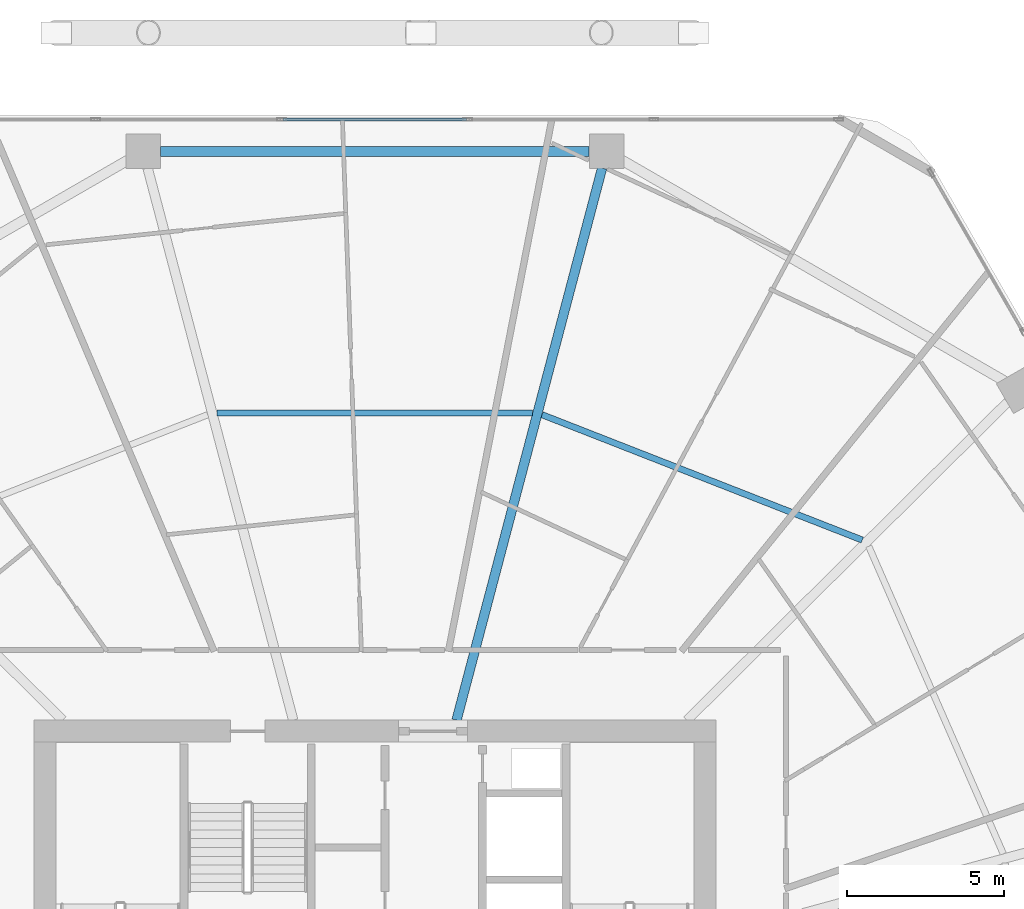
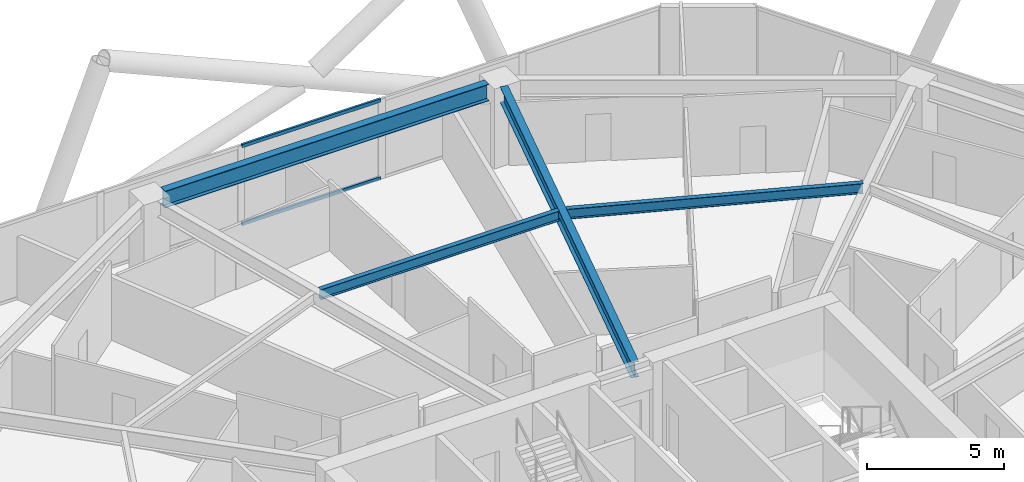
# One storey, part 23 of 36: 4 beams, 2 members, 1 element without a shape of its own.
"""IFC4 building model written with IfcOpenShell, lengths in metres."""

from ifc_helpers import new_model, si_unit, direction, frame, origin, origin_2d, place, context, subcontext, project, spatial, hollow_rectangle, i_section, extrude, material, material_profile, profile_set, type_object, element, aggregate, save


model = new_model("IFC4")

# Units and contexts
model_context = context("Model", 3, precision=1e-05, world=origin(), true_north=direction((0.0, 1.0)))
body_context = subcontext(model_context, "Body", "Model", "MODEL_VIEW")
ifc_project = project(units=[si_unit("LENGTHUNIT", "METRE"), si_unit("AREAUNIT", "SQUARE_METRE"), si_unit("VOLUMEUNIT", "CUBIC_METRE"), si_unit("PLANEANGLEUNIT", "RADIAN"), si_unit("MASSUNIT", "GRAM", prefix="KILO")], contexts=[model_context])

# Site, building, storey
site_placement = place(None, origin())
site = spatial("IfcSite", under=ifc_project, at=site_placement, CompositionType="ELEMENT")
building_placement = place(site_placement, origin())
building = spatial("IfcBuilding", under=site, at=building_placement, Name="Zuhravey Tower", CompositionType="ELEMENT")
storey_placement = place(building_placement, frame((0.0, 0.0, 107.60009765625)))
storey = spatial("IfcBuildingStorey", under=building, at=storey_placement, Name="L26", CompositionType="ELEMENT", Elevation=107.60009765625)

# Curtain wall, members
ifc_material_1 = material(Name="Thermally broken anodised aluminium", Category="aluminium")
curtain_wall_type = type_object("IfcCurtainWallType", Name="Zone 1-2 Residential Curtain Wall CW3", PredefinedType="NOTDEFINED", material=ifc_material_1)
curtain_wall_placement = place(storey_placement, origin())
curtain_wall = element("IfcCurtainWall", 1, at=curtain_wall_placement, inside=storey, type_object=curtain_wall_type, Name="L26 CW3 CW-L26-F2-1", PredefinedType="NOTDEFINED")
ifc_material_2 = material(Name="Anodised aluminium", Category="aluminium")
ifc_material_profile_1 = material_profile(ifc_material_2, hollow_rectangle(XDim=0.090087890625, YDim=0.14990234375, WallThickness=0.0048828125, at=origin_2d()), Name="ALU-RHS-90x150x5")
ifc_profile_set_1 = profile_set([ifc_material_profile_1], Name="Anodised aluminium")
member_type = type_object("IfcMemberType", Name="Curtain-Wall Transom 90x150", PredefinedType="USERDEFINED", material=ifc_profile_set_1)
member_1_placement = place(storey_placement, frame((33.085205078125, 60.95849609375, 0.044921875), z_axis=(1.0, 0.0, 0.0), x_axis=(0.0, 1.0, 0.0)))
member_1 = element("IfcMember", 2, at=member_1_placement, type_object=member_type, Name="CW3 transom 3.1", ObjectType="TRANSOM", PredefinedType="USERDEFINED", context=body_context, shape_type="SweptSolid", body=[
    extrude(hollow_rectangle(XDim=0.090087890625, YDim=0.14990234375, WallThickness=0.0048828125, at=origin_2d()), origin(), (0.0, 0.0, 1.0), 5.82958984375),
])
member_2_placement = place(storey_placement, frame((33.085205078125, 60.95849609375, 3.5048828125), z_axis=(1.0, 0.0, 0.0), x_axis=(0.0, 1.0, 0.0)))
member_2 = element("IfcMember", 3, at=member_2_placement, type_object=member_type, Name="CW3 transom 3.2", ObjectType="TRANSOM", PredefinedType="USERDEFINED", context=body_context, shape_type="SweptSolid", body=[
    extrude(hollow_rectangle(XDim=0.090087890625, YDim=0.14990234375, WallThickness=0.0048828125, at=origin_2d()), origin(), (0.0, 0.0, 1.0), 5.82958984375),
])
aggregate(curtain_wall, [member_1, member_2])

# Beams
ifc_material_3 = material(Name="Steel SM355", Category="steel")
ifc_material_profile_2 = material_profile(ifc_material_3, i_section(OverallWidth=0.320068359375, OverallDepth=0.75, WebThickness=0.013916015625, FlangeThickness=0.02490234375, at=origin_2d()), Name="H-750x320x14x25")
ifc_profile_set_2 = profile_set([ifc_material_profile_2], Name="Steel SM355")
beam_type_1 = type_object("IfcBeamType", Name="Perimeter Ring Beam H750x320", PredefinedType="BEAM", material=ifc_profile_set_2)
beam_1_placement = place(storey_placement, frame((42.81689453125, 59.948486328125, 3.1748046875), z_axis=(-1.0, 0.0, 0.0), x_axis=(0.0, -1.0, 0.0)))
element("IfcBeam", 4, at=beam_1_placement, inside=storey, type_object=beam_type_1, Name="L26 PB1 BM-L26-PB-03", PredefinedType="BEAM", context=body_context, shape_type="SweptSolid", body=[
    extrude(i_section(OverallWidth=0.320068359375, OverallDepth=0.75, WebThickness=0.013916015625, FlangeThickness=0.02490234375, at=origin_2d()), origin(), (0.0, 0.0, 1.0), 13.6337890625),
])
ifc_material_profile_3 = material_profile(ifc_material_3, i_section(OverallWidth=0.300048828125, OverallDepth=0.699951171875, WebThickness=0.012939453125, FlangeThickness=0.02392578125, at=origin_2d()), Name="H-700x300x13x24")
ifc_profile_set_3 = profile_set([ifc_material_profile_3], Name="Steel SM355")
beam_type_2 = type_object("IfcBeamType", Name="Radial Primary Girder H700x300", PredefinedType="BEAM", material=ifc_profile_set_3)
beam_2_placement = place(storey_placement, frame((38.59814453125, 41.85302734375, 3.199951171875), z_axis=(0.25498755891, 0.966944333869, 0.0), x_axis=(-0.966944333869, 0.25498755891, 0.0)))
element("IfcBeam", 5, at=beam_2_placement, inside=storey, type_object=beam_type_2, Name="L26 RG1 BM-L26-RAD-03", PredefinedType="BEAM", context=body_context, shape_type="SweptSolid", body=[
    extrude(i_section(OverallWidth=0.300048828125, OverallDepth=0.699951171875, WebThickness=0.012939453125, FlangeThickness=0.02392578125, at=origin_2d()), origin(), (0.0, 0.0, 1.0), 18.1611328125),
])
ifc_material_profile_4 = material_profile(ifc_material_3, i_section(OverallWidth=0.199951171875, OverallDepth=0.449951171875, WebThickness=0.009033203125, FlangeThickness=0.013916015625, at=origin_2d()), Name="H-450x200x9x14")
ifc_profile_set_4 = profile_set([ifc_material_profile_4], Name="Steel SM355")
beam_type_3 = type_object("IfcBeamType", Name="Secondary Floor Joist H450x200", PredefinedType="JOIST", material=ifc_profile_set_4)
beam_3_placement = place(storey_placement, frame((51.50537109375, 47.581298828125, 3.324951171875), z_axis=(-0.931216764731, 0.364465824302, 0.0), x_axis=(-0.364465824302, -0.931216764731, 0.0)))
element("IfcBeam", 6, at=beam_3_placement, inside=storey, type_object=beam_type_3, Name="L26 SJ1 BM-L26-SJ-02-1", PredefinedType="JOIST", context=body_context, shape_type="SweptSolid", body=[
    extrude(i_section(OverallWidth=0.199951171875, OverallDepth=0.449951171875, WebThickness=0.009033203125, FlangeThickness=0.013916015625, at=origin_2d()), origin(), (0.0, 0.0, 1.0), 10.939453125),
])
beam_4_placement = place(storey_placement, frame((41.02099609375, 51.62451171875, 3.324951171875), z_axis=(-1.0, 0.0, 0.0), x_axis=(0.0, -1.0, 0.0)))
element("IfcBeam", 7, at=beam_4_placement, inside=storey, type_object=beam_type_3, Name="L26 SJ1 BM-L26-SJ-03-1", PredefinedType="JOIST", context=body_context, shape_type="SweptSolid", body=[
    extrude(i_section(OverallWidth=0.199951171875, OverallDepth=0.449951171875, WebThickness=0.009033203125, FlangeThickness=0.013916015625, at=origin_2d()), origin(), (0.0, 0.0, 1.0), 10.0419921875),
])

save(model, "model.ifc")
